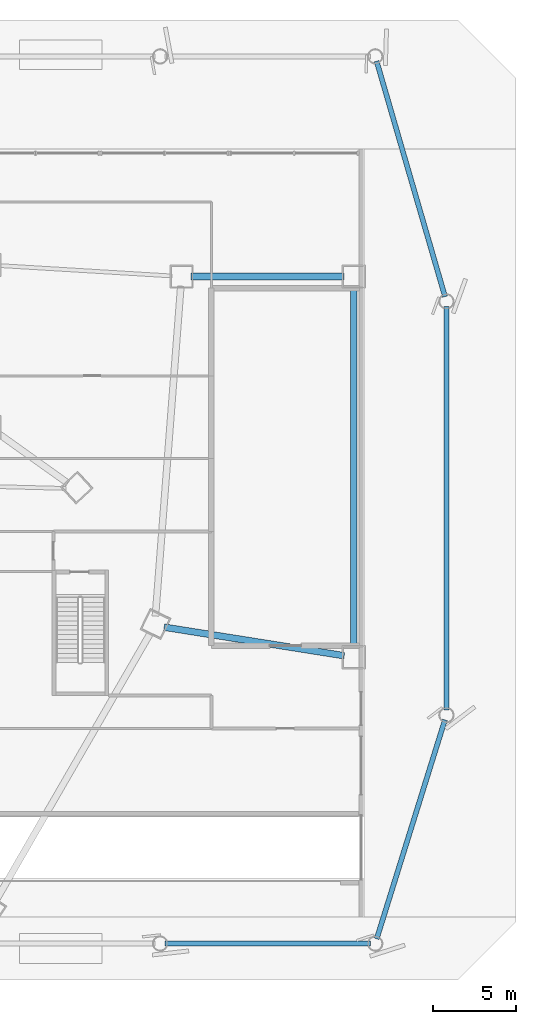
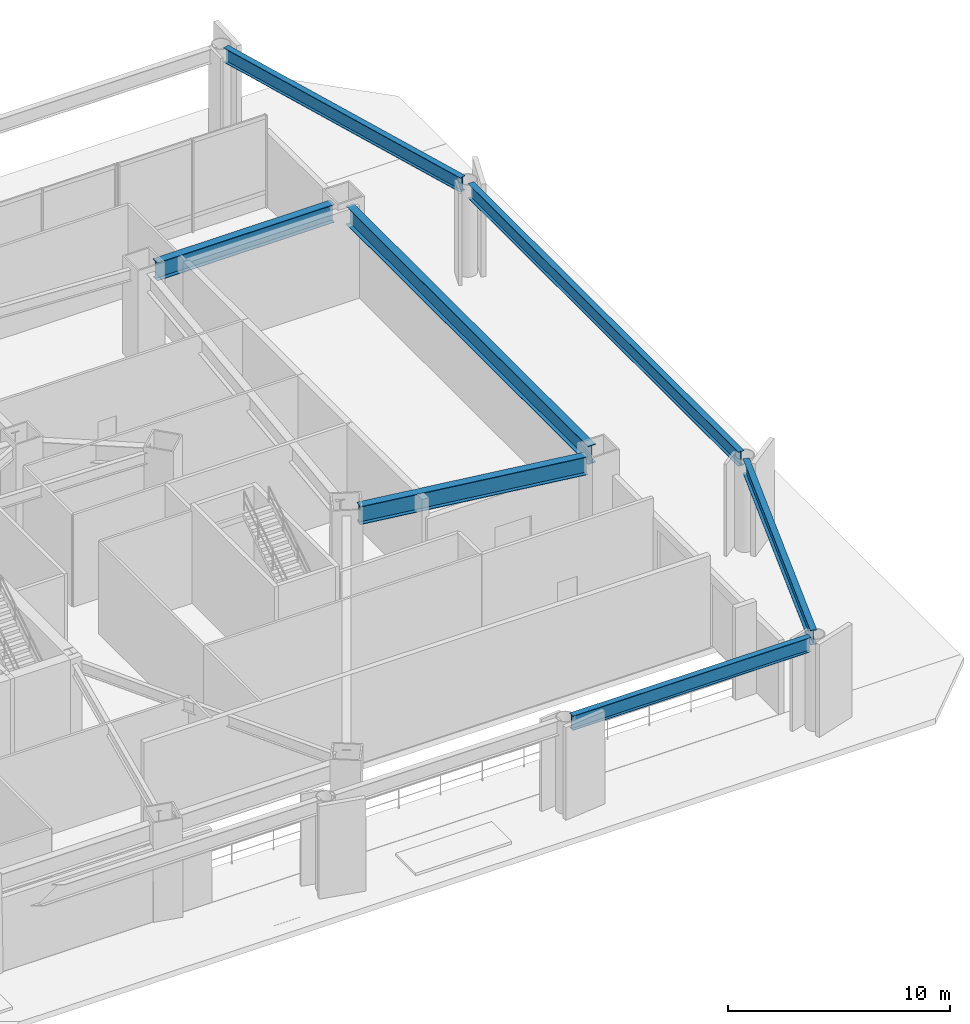
# One storey, part 8 of 19: 7 beams.
"""IFC4 building model written with IfcOpenShell, lengths in metres."""

from ifc_helpers import new_model, si_unit, direction, frame, origin, origin_2d, place, context, subcontext, project, spatial, i_section, extrude, source, transform, mapped, material, material_profile, profile_set, type_object, type_shapes, element, save


model = new_model("IFC4")

# Units and contexts
model_context = context("Model", 3, precision=1e-05, world=origin(), true_north=direction((0.0, 1.0)))
body_context = subcontext(model_context, "Body", "Model", "MODEL_VIEW")
ifc_project = project(units=[si_unit("LENGTHUNIT", "METRE"), si_unit("AREAUNIT", "SQUARE_METRE"), si_unit("VOLUMEUNIT", "CUBIC_METRE"), si_unit("PLANEANGLEUNIT", "RADIAN"), si_unit("MASSUNIT", "GRAM", prefix="KILO")], contexts=[model_context])

# Site, building, storey
site_placement = place(None, origin())
site = spatial("IfcSite", under=ifc_project, at=site_placement, CompositionType="ELEMENT")
building_placement = place(site_placement, origin())
building = spatial("IfcBuilding", under=site, at=building_placement, Name="Caelisora Broadcast Tower", CompositionType="ELEMENT")
storey_placement = place(building_placement, origin())
storey = spatial("IfcBuildingStorey", under=building, at=storey_placement, Name="L00", CompositionType="ELEMENT", Elevation=0.0)

# Beams
ifc_material = material(Name="Steel Grade 350 (AS/NZS 3679.2)", Category="steel")
ifc_material_profile_1 = material_profile(ifc_material, i_section(OverallWidth=0.300048828125, OverallDepth=0.800048828125, WebThickness=0.013916015625, FlangeThickness=0.02392578125, at=origin_2d()), Name="Steel Grade 350 (AS/NZS 3679.2)")
ifc_profile_set_1 = profile_set([ifc_material_profile_1], Name="Steel Grade 350 (AS/NZS 3679.2)")
beam_type_1 = type_object("IfcBeamType", Name="PG02", PredefinedType="BEAM", material=ifc_profile_set_1)
shared_shape_1 = source(origin(), body_context, "Body", "SweptSolid", [
    extrude(i_section(OverallWidth=0.300048828125, OverallDepth=0.800048828125, WebThickness=0.013916015625, FlangeThickness=0.02392578125, at=origin_2d()), origin(), (0.0, 0.0, 1.0), 12.39990234375),
])
beam_1_placement = place(storey_placement, frame((62.800048828125, 2.199951171875, 4.679931640625), z_axis=(1.0, 0.0, 0.0), x_axis=(0.0, 1.0, 0.0)))
element("IfcBeam", 1, at=beam_1_placement, inside=storey, type_object=beam_type_1, Name="L00 beam PG02", PredefinedType="BEAM", context=body_context, shape_type="MappedRepresentation", body=[
    mapped(shared_shape_1, transform((0.0, 0.0, 0.0), scale=1.0)),
])
shared_shape_2 = source(origin(), body_context, "Body", "SweptSolid", [
    extrude(i_section(OverallWidth=0.300048828125, OverallDepth=0.800048828125, WebThickness=0.013916015625, FlangeThickness=0.02392578125, at=origin_2d()), origin(), (0.0, 0.0, 1.0), 24.39990234375),
])
beam_2_placement = place(storey_placement, frame((79.800048828125, 16.300048828125, 4.679931640625), z_axis=(0.0, 1.0, 0.0), x_axis=(-1.0, 0.0, 0.0)))
element("IfcBeam", 2, at=beam_2_placement, inside=storey, type_object=beam_type_1, Name="L00 beam PG02", PredefinedType="BEAM", context=body_context, shape_type="MappedRepresentation", body=[
    mapped(shared_shape_2, transform((0.0, 0.0, 0.0), scale=1.0)),
])
shared_shape_3 = source(origin(), body_context, "Body", "SweptSolid", [
    extrude(i_section(OverallWidth=0.300048828125, OverallDepth=0.800048828125, WebThickness=0.013916015625, FlangeThickness=0.02392578125, at=origin_2d()), origin(), (0.0, 0.0, 1.0), 13.8544921875),
])
beam_3_placement = place(storey_placement, frame((75.589111328125, 2.486328125, 4.679931640625), z_axis=(0.297489253499, 0.954725166764, 0.0), x_axis=(-0.954725166764, 0.297489253499, 0.0)))
element("IfcBeam", 3, at=beam_3_placement, inside=storey, type_object=beam_type_1, Name="L00 beam PG02", PredefinedType="BEAM", context=body_context, shape_type="MappedRepresentation", body=[
    mapped(shared_shape_3, transform((0.0, 0.0, 0.0), scale=1.0)),
])
shared_shape_4 = source(origin(), body_context, "Body", "SweptSolid", [
    extrude(i_section(OverallWidth=0.300048828125, OverallDepth=0.800048828125, WebThickness=0.013916015625, FlangeThickness=0.02392578125, at=origin_2d()), origin(), (0.0, 0.0, 1.0), 14.81201171875),
])
type_shapes(beam_type_1, [shared_shape_1, shared_shape_2, shared_shape_3, shared_shape_4])
beam_4_placement = place(storey_placement, frame((79.71630859375, 41.2880859375, 4.679931640625), z_axis=(-0.279000450759, 0.960290970736, 0.0), x_axis=(-0.960290970736, -0.279000450759, 0.0)))
element("IfcBeam", 4, at=beam_4_placement, inside=storey, type_object=beam_type_1, Name="L00 beam PG02", PredefinedType="BEAM", context=body_context, shape_type="MappedRepresentation", body=[
    mapped(shared_shape_4, transform((0.0, 0.0, 0.0), scale=1.0)),
])
ifc_material_profile_2 = material_profile(ifc_material, i_section(OverallWidth=0.39990234375, OverallDepth=1.0, WebThickness=0.01611328125, FlangeThickness=0.028076171875, at=origin_2d()), Name="Steel Grade 350 (AS/NZS 3679.2)")
ifc_profile_set_2 = profile_set([ifc_material_profile_2], Name="Steel Grade 350 (AS/NZS 3679.2)")
beam_type_2 = type_object("IfcBeamType", Name="PG01", PredefinedType="BEAM", material=ifc_profile_set_2)
shared_shape_5 = source(origin(), body_context, "Body", "SweptSolid", [
    extrude(i_section(OverallWidth=0.39990234375, OverallDepth=1.0, WebThickness=0.01611328125, FlangeThickness=0.028076171875, at=origin_2d()), origin(), (0.0, 0.0, 1.0), 9.240234375),
])
beam_5_placement = place(storey_placement, frame((64.3798828125, 42.5, 4.580078125), z_axis=(1.0, 0.0, 0.0), x_axis=(0.0, 1.0, 0.0)))
element("IfcBeam", 5, at=beam_5_placement, inside=storey, type_object=beam_type_2, Name="L00 beam PG01", PredefinedType="BEAM", context=body_context, shape_type="MappedRepresentation", body=[
    mapped(shared_shape_5, transform((0.0, 0.0, 0.0), scale=1.0)),
])
shared_shape_6 = source(origin(), body_context, "Body", "SweptSolid", [
    extrude(i_section(OverallWidth=0.39990234375, OverallDepth=1.0, WebThickness=0.01611328125, FlangeThickness=0.028076171875, at=origin_2d()), origin(), (0.0, 0.0, 1.0), 21.83984375),
])
beam_6_placement = place(storey_placement, frame((74.199951171875, 20.080078125, 4.580078125), z_axis=(0.0, 1.0, 0.0), x_axis=(-1.0, 0.0, 0.0)))
element("IfcBeam", 6, at=beam_6_placement, inside=storey, type_object=beam_type_2, Name="L00 beam PG01", PredefinedType="BEAM", context=body_context, shape_type="MappedRepresentation", body=[
    mapped(shared_shape_6, transform((0.0, 0.0, 0.0), scale=1.0)),
])
shared_shape_7 = source(origin(), body_context, "Body", "SweptSolid", [
    extrude(i_section(OverallWidth=0.39990234375, OverallDepth=1.0, WebThickness=0.01611328125, FlangeThickness=0.028076171875, at=origin_2d()), origin(), (0.0, 0.0, 1.0), 11.01513671875),
])
type_shapes(beam_type_2, [shared_shape_5, shared_shape_6, shared_shape_7])
beam_7_placement = place(storey_placement, frame((62.748046875, 21.31591796875, 4.580078125), z_axis=(0.987660137151, -0.156612430805, 0.0), x_axis=(0.156612430805, 0.987660137151, 0.0)))
element("IfcBeam", 7, at=beam_7_placement, inside=storey, type_object=beam_type_2, Name="L00 beam PG01", PredefinedType="BEAM", context=body_context, shape_type="MappedRepresentation", body=[
    mapped(shared_shape_7, transform((0.0, 0.0, 0.0), scale=1.0)),
])

save(model, "model.ifc")
